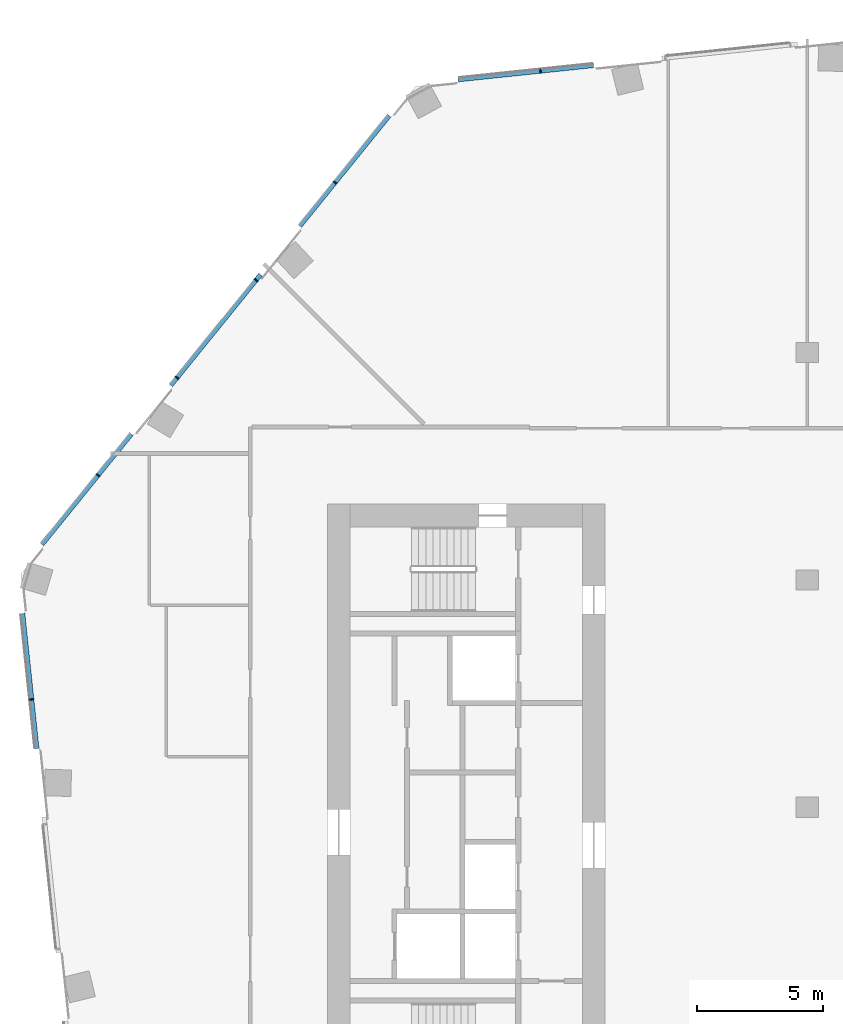
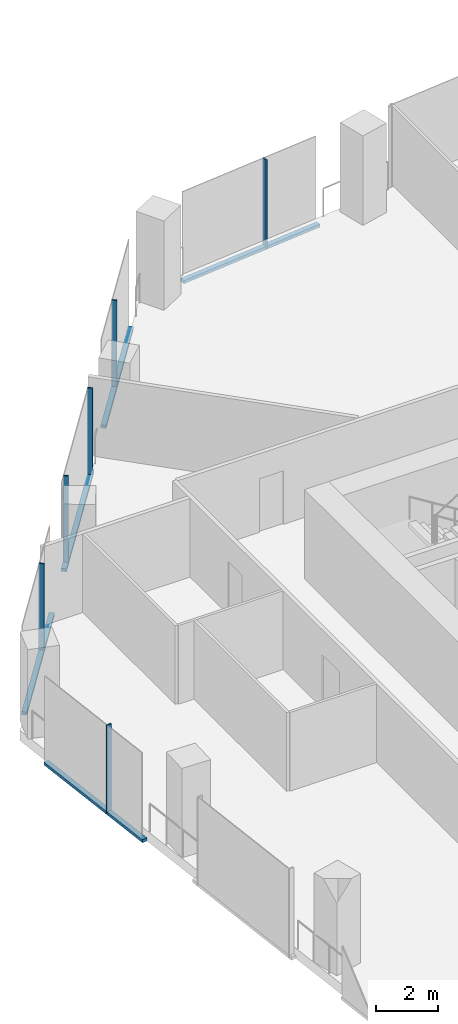
# One storey, part 7 of 24: 11 members, 3 elements without a shape of their own.
"""IFC4 building model written with IfcOpenShell, lengths in metres."""

from ifc_helpers import new_model, si_unit, direction, frame, origin, origin_2d, place, context, subcontext, project, spatial, rectangle, extrude, material, material_profile, profile_set, type_object, element, aggregate, save


model = new_model("IFC4")

# Units and contexts
model_context = context("Model", 3, precision=1e-05, world=origin(), true_north=direction((0.0, 1.0)))
body_context = subcontext(model_context, "Body", "Model", "MODEL_VIEW")
ifc_project = project(units=[si_unit("LENGTHUNIT", "METRE"), si_unit("AREAUNIT", "SQUARE_METRE"), si_unit("VOLUMEUNIT", "CUBIC_METRE"), si_unit("PLANEANGLEUNIT", "RADIAN"), si_unit("MASSUNIT", "GRAM", prefix="KILO")], contexts=[model_context])

# Site, building, storey
site_placement = place(None, origin())
site = spatial("IfcSite", under=ifc_project, at=site_placement, CompositionType="ELEMENT")
building_placement = place(site_placement, origin())
building = spatial("IfcBuilding", under=site, at=building_placement, Name="Orlundy Tower", CompositionType="ELEMENT")
storey_placement = place(building_placement, frame((0.0, 0.0, 210.5)))
storey = spatial("IfcBuildingStorey", under=building, at=storey_placement, Name="L55", CompositionType="ELEMENT", Elevation=210.5)

# Curtain wall, member
ifc_material_1 = material(Name="Aluminium bronze anodised", Category="aluminium")
curtain_wall_type = type_object("IfcCurtainWallType", Name="CW1 wall", PredefinedType="NOTDEFINED", material=ifc_material_1)
curtain_wall_1_placement = place(storey_placement, origin())
curtain_wall_1 = element("IfcCurtainWall", 1, at=curtain_wall_1_placement, inside=storey, type_object=curtain_wall_type, Name="CW1 run 02", PredefinedType="NOTDEFINED")
ifc_material_2 = material(Name="Aluminium bronze anodised", Category="aluminium")
ifc_material_profile_1 = material_profile(ifc_material_2, rectangle(XDim=0.179931640625, YDim=0.050048828125, at=origin_2d()), Name="CW1 mullion 50x180")
ifc_profile_set_1 = profile_set([ifc_material_profile_1], Name="Aluminium bronze anodised")
member_type_1 = type_object("IfcMemberType", Name="CW1 mullion 50x180", PredefinedType="MULLION", material=ifc_profile_set_1)
member_1_placement = place(storey_placement, frame((-30.704833984375, 4.269287109375, -0.39990234375), z_axis=(0.0, 0.0, 1.0), x_axis=(-0.994520875843, -0.104538162943, 0.0)))
member_1 = element("IfcMember", 2, at=member_1_placement, type_object=member_type_1, Name="CW1 mullion 13", PredefinedType="MULLION", context=body_context, shape_type="SweptSolid", body=[
    extrude(rectangle(XDim=0.179931640625, YDim=0.050048828125, at=origin_2d()), origin(), (0.0, 0.0, 1.0), 3.5),
])

# Curtain wall, members
curtain_wall_2_placement = place(storey_placement, origin())
curtain_wall_2 = element("IfcCurtainWall", 3, at=curtain_wall_2_placement, inside=storey, type_object=curtain_wall_type, Name="CW1 run 03", PredefinedType="NOTDEFINED")
member_2_placement = place(storey_placement, frame((-28.07666015625, 13.1416015625, -0.39990234375), z_axis=(0.0, 0.0, 1.0), x_axis=(-0.777145540374, 0.629320911043, 0.0)))
member_2 = element("IfcMember", 4, at=member_2_placement, type_object=member_type_1, Name="CW1 mullion 15", PredefinedType="MULLION", context=body_context, shape_type="SweptSolid", body=[
    extrude(rectangle(XDim=0.179931640625, YDim=0.050048828125, at=origin_2d()), origin(), (0.0, 0.0, 1.0), 3.5),
])
member_3_placement = place(storey_placement, frame((-24.948486328125, 17.004638671875, -0.39990234375), z_axis=(0.0, 0.0, 1.0), x_axis=(-0.777145540374, 0.629320911043, 0.0)))
member_3 = element("IfcMember", 5, at=member_3_placement, type_object=member_type_1, Name="CW1 mullion 16", PredefinedType="MULLION", context=body_context, shape_type="SweptSolid", body=[
    extrude(rectangle(XDim=0.179931640625, YDim=0.050048828125, at=origin_2d()), origin(), (0.0, 0.0, 1.0), 3.5),
])
member_4_placement = place(storey_placement, frame((-21.8203125, 20.86767578125, -0.39990234375), z_axis=(0.0, 0.0, 1.0), x_axis=(-0.777145540374, 0.629320911043, 0.0)))
member_4 = element("IfcMember", 6, at=member_4_placement, type_object=member_type_1, Name="CW1 mullion 17", PredefinedType="MULLION", context=body_context, shape_type="SweptSolid", body=[
    extrude(rectangle(XDim=0.179931640625, YDim=0.050048828125, at=origin_2d()), origin(), (0.0, 0.0, 1.0), 3.5),
])
member_5_placement = place(storey_placement, frame((-18.692138671875, 24.730712890625, -0.39990234375), z_axis=(0.0, 0.0, 1.0), x_axis=(-0.777145540374, 0.629320911043, 0.0)))
member_5 = element("IfcMember", 7, at=member_5_placement, type_object=member_type_1, Name="CW1 mullion 18", PredefinedType="MULLION", context=body_context, shape_type="SweptSolid", body=[
    extrude(rectangle(XDim=0.179931640625, YDim=0.050048828125, at=origin_2d()), origin(), (0.0, 0.0, 1.0), 3.5),
])

# Curtain wall, member
curtain_wall_3_placement = place(storey_placement, origin())
curtain_wall_3 = element("IfcCurtainWall", 8, at=curtain_wall_3_placement, inside=storey, type_object=curtain_wall_type, Name="CW1 run 04", PredefinedType="NOTDEFINED")
member_6_placement = place(storey_placement, frame((-10.560302734375, 29.14599609375, -0.39990234375), z_axis=(0.0, 0.0, 1.0), x_axis=(-0.104538162943, 0.994520875843, 0.0)))
member_6 = element("IfcMember", 9, at=member_6_placement, type_object=member_type_1, Name="CW1 mullion 20", PredefinedType="MULLION", context=body_context, shape_type="SweptSolid", body=[
    extrude(rectangle(XDim=0.179931640625, YDim=0.050048828125, at=origin_2d()), origin(), (0.0, 0.0, 1.0), 3.5),
])

# Member
ifc_material_3 = material(Name="Aluminium bronze anodised", Category="aluminium")
ifc_material_profile_2 = material_profile(ifc_material_3, rectangle(XDim=0.179931640625, YDim=0.1201171875, at=origin_2d()), Name="CW1 transom 180x120")
ifc_profile_set_2 = profile_set([ifc_material_profile_2], Name="Aluminium bronze anodised")
member_type_2 = type_object("IfcMemberType", Name="CW1 transom 180x120", PredefinedType="USERDEFINED", material=ifc_profile_set_2)
member_7_placement = place(storey_placement, frame((-30.5, 2.319580078125, -0.340087890625), z_axis=(-0.104526625058, 0.99452208857, 0.0), x_axis=(-0.99452208857, -0.104526625058, 0.0)))
member_7 = element("IfcMember", 10, at=member_7_placement, type_object=member_type_2, Name="CW1 transom", ObjectType="TRANSOM", PredefinedType="USERDEFINED", context=body_context, shape_type="SweptSolid", body=[
    extrude(rectangle(XDim=0.179931640625, YDim=0.1201171875, at=origin_2d()), origin(), (0.0, 0.0, 1.0), 5.3837890625),
])

aggregate(curtain_wall_1, [member_1, member_7])

member_8_placement = place(storey_placement, frame((-30.295166015625, 10.402099609375, -0.340087890625), z_axis=(0.629324279597, 0.777142812557, 0.0), x_axis=(-0.777142812557, 0.629324279597, 0.0)))
member_8 = element("IfcMember", 11, at=member_8_placement, type_object=member_type_2, Name="CW1 transom", ObjectType="TRANSOM", PredefinedType="USERDEFINED", context=body_context, shape_type="SweptSolid", body=[
    extrude(rectangle(XDim=0.179931640625, YDim=0.1201171875, at=origin_2d()), origin(), (0.0, 0.0, 1.0), 5.627197265625),
])

member_9_placement = place(storey_placement, frame((-25.19384765625, 16.701904296875, -0.340087890625), z_axis=(0.629333928438, 0.777134998901, 0.0), x_axis=(-0.777134998901, 0.629333928438, 0.0)))
member_9 = element("IfcMember", 12, at=member_9_placement, type_object=member_type_2, Name="CW1 transom", ObjectType="TRANSOM", PredefinedType="USERDEFINED", context=body_context, shape_type="SweptSolid", body=[
    extrude(rectangle(XDim=0.179931640625, YDim=0.1201171875, at=origin_2d()), origin(), (0.0, 0.0, 1.0), 5.640869140625),
])

member_10_placement = place(storey_placement, frame((-20.084716796875, 23.010986328125, -0.340087890625), z_axis=(0.629314446379, 0.777150775319, 0.0), x_axis=(-0.777150775319, 0.629314446379, 0.0)))
member_10 = element("IfcMember", 13, at=member_10_placement, type_object=member_type_2, Name="CW1 transom", ObjectType="TRANSOM", PredefinedType="USERDEFINED", context=body_context, shape_type="SweptSolid", body=[
    extrude(rectangle(XDim=0.179931640625, YDim=0.1201171875, at=origin_2d()), origin(), (0.0, 0.0, 1.0), 5.619873046875),
])

aggregate(curtain_wall_2, [member_2, member_3, member_4, member_5, member_8, member_9, member_10])

member_11_placement = place(storey_placement, frame((-13.820068359375, 28.803466796875, -0.340087890625), z_axis=(0.994522569181, 0.104522052166, 0.0), x_axis=(-0.104522052166, 0.994522569181, 0.0)))
member_11 = element("IfcMember", 14, at=member_11_placement, type_object=member_type_2, Name="CW1 transom", ObjectType="TRANSOM", PredefinedType="USERDEFINED", context=body_context, shape_type="SweptSolid", body=[
    extrude(rectangle(XDim=0.179931640625, YDim=0.1201171875, at=origin_2d()), origin(), (0.0, 0.0, 1.0), 5.388671875),
])

aggregate(curtain_wall_3, [member_6, member_11])

save(model, "model.ifc")
